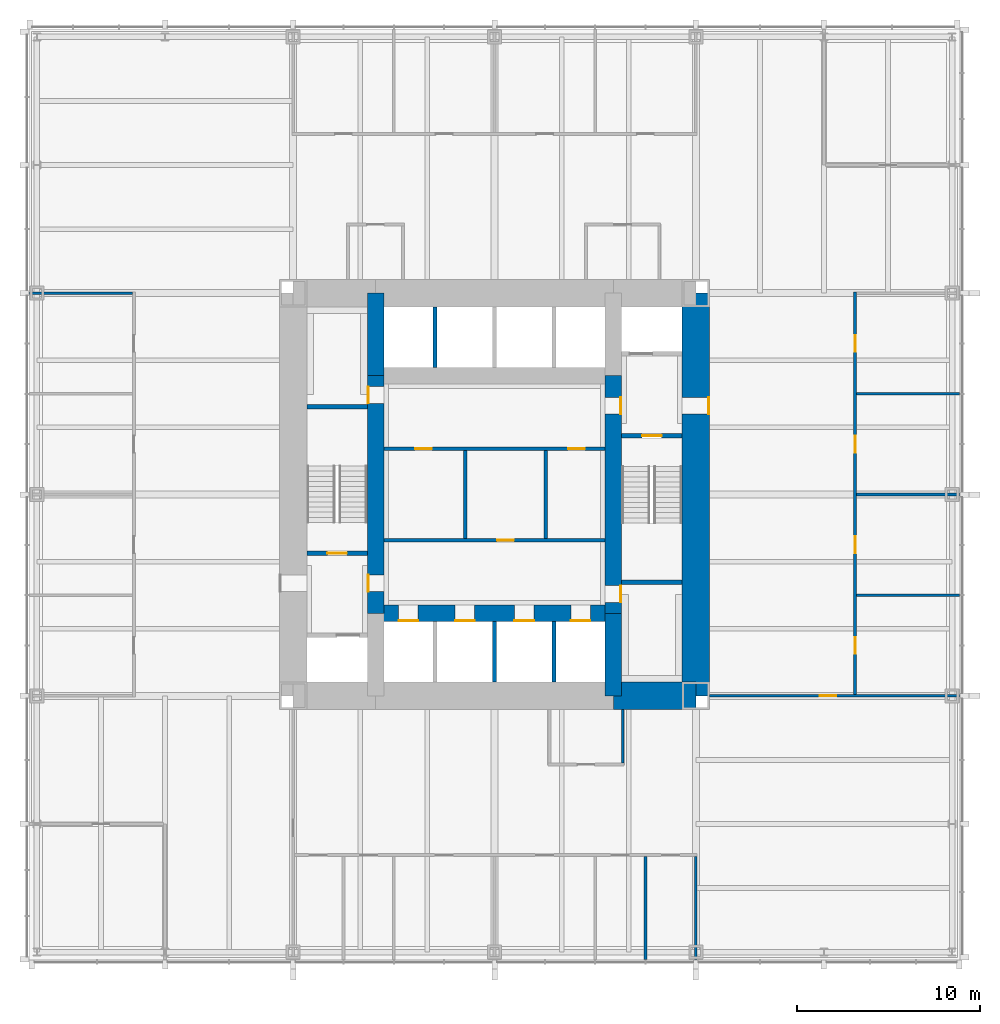
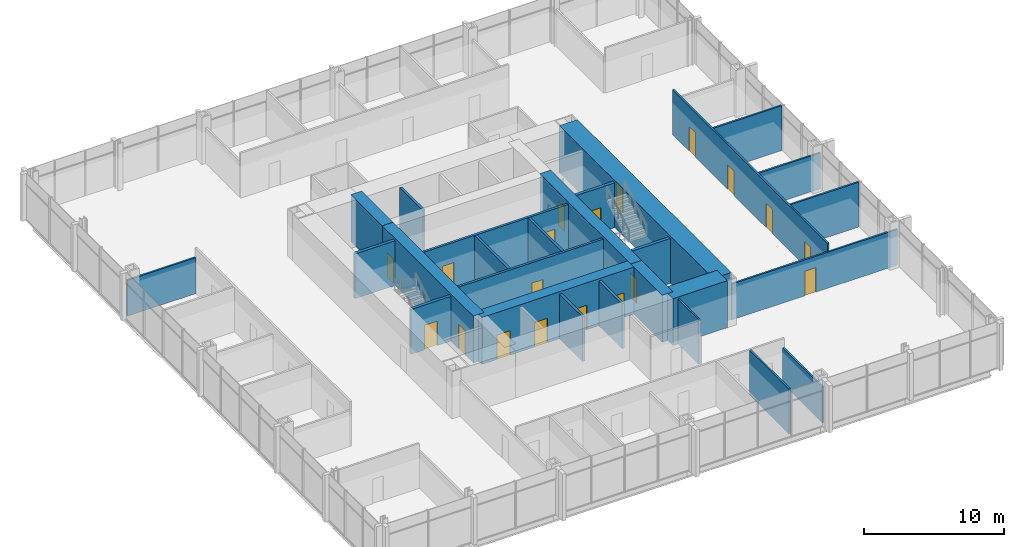
# One storey, part 10 of 12: 27 walls, 19 doors, 19 openings.
"""IFC4 building model written with IfcOpenShell, lengths in metres."""

from ifc_helpers import new_model, si_unit, direction, frame, frame_2d, origin, place, context, subcontext, project, spatial, rectangle, extrude, material, layer, layer_set, type_object, element, fill, save


model = new_model("IFC4")

# Units and contexts
model_context = context("Model", 3, precision=1e-05, world=origin(), true_north=direction((0.0, 1.0)))
body_context = subcontext(model_context, "Body", "Model", "MODEL_VIEW")
ifc_project = project(units=[si_unit("LENGTHUNIT", "METRE"), si_unit("AREAUNIT", "SQUARE_METRE"), si_unit("VOLUMEUNIT", "CUBIC_METRE"), si_unit("PLANEANGLEUNIT", "RADIAN"), si_unit("MASSUNIT", "GRAM", prefix="KILO")], contexts=[model_context])

# Site, building, storey
site_placement = place(None, origin())
site = spatial("IfcSite", under=ifc_project, at=site_placement, CompositionType="ELEMENT")
building_placement = place(site_placement, origin())
building = spatial("IfcBuilding", under=site, at=building_placement, Name="Trevanion Tower", CompositionType="ELEMENT")
storey_placement = place(building_placement, frame((0.0, 0.0, 77.5)))
storey = spatial("IfcBuildingStorey", under=building, at=storey_placement, Name="L18", CompositionType="ELEMENT", Elevation=77.5)

# Wall, opening, door
ifc_material_1 = material(Name="Concrete 10,000 psi", Category="concrete")
ifc_layer_1 = layer(ifc_material_1, 1.5)
ifc_layer_set_1 = layer_set([ifc_layer_1], Name="CW1 core wall 1500")
wall_type_1 = type_object("IfcWallType", Name="CW1 core wall 1500", PredefinedType="SHEAR", material=ifc_layer_set_1)
wall_1_placement = place(storey_placement, frame((11.0, -11.0, 0.0), z_axis=(0.0, 0.0, 1.0), x_axis=(0.0, 1.0, 0.0)))
wall_1 = element("IfcWall", 1, at=wall_1_placement, inside=storey, type_object=wall_type_1, Name="CW1 CE L18", PredefinedType="SHEAR", context=body_context, shape_type="SweptSolid", body=[
    extrude(rectangle(XDim=22.0, YDim=1.5, at=frame_2d((11.0, 0.0))), origin(), (0.0, 0.0, 1.0), 4.10009765625),
])
opening_1_placement = place(wall_1_placement, frame((15.392578125, 0.0, 0.0)))
opening_1 = element("IfcOpeningElement", 2, at=opening_1_placement, cuts=wall_1, Name="Opening 18-001", PredefinedType="OPENING", context=body_context, shape_type="SweptSolid", body=[
    extrude(rectangle(XDim=0.9150390625, YDim=2.134033203125, at=frame_2d((0.45751953125, 1.06689453125))), frame((0.0, 0.760009765625, 0.0), z_axis=(0.0, -1.0, 0.0), x_axis=(1.0, 0.0, 0.0)), (0.0, 0.0, 1.0), 1.52001953125),
])
ifc_material_2 = material(Name="Hollow metal, fire rated", Category="steel")
door_type_1 = type_object("IfcDoorType", Name="D3 fire lift lobby door", OperationType="SINGLE_SWING_RIGHT", PredefinedType="DOOR", material=ifc_material_2)
door_1_placement = place(opening_1_placement, origin())
door_1 = element("IfcDoor", 3, at=door_1_placement, inside=storey, type_object=door_type_1, Name="Door 18-001", OperationType="SINGLE_SWING_RIGHT", OverallHeight=2.134033203125, OverallWidth=0.9150390625, PredefinedType="DOOR", context=body_context, shape_type="SweptSolid", body=[
    extrude(rectangle(XDim=0.9150390625, YDim=2.134033203125, at=frame_2d((0.45751953125, 1.06689453125))), frame((0.0, -0.6748046875, 0.0), z_axis=(0.0, -1.0, 0.0), x_axis=(1.0, 0.0, 0.0)), (0.0, 0.0, 1.0), 0.050048828125),
])
fill(opening_1, door_1)

# Walls
wall_2_placement = place(storey_placement, frame((6.5, -11.0, 0.0), z_axis=(0.0, 0.0, 1.0), x_axis=(1.0, 0.0, 0.0)))
element("IfcWall", 4, at=wall_2_placement, inside=storey, type_object=wall_type_1, Name="CW1 CS3 L18", PredefinedType="SHEAR", context=body_context, shape_type="SweptSolid", body=[
    extrude(rectangle(XDim=4.5, YDim=1.5, at=frame_2d((2.25, 0.0))), origin(), (0.0, 0.0, 1.0), 4.10009765625),
])
ifc_material_3 = material(Name="Concrete 10,000 psi", Category="concrete")
ifc_layer_2 = layer(ifc_material_3, 0.89990234375)
ifc_layer_set_2 = layer_set([ifc_layer_2], Name="CW2 core wall 900")
wall_type_2 = type_object("IfcWallType", Name="CW2 core wall 900", PredefinedType="SHEAR", material=ifc_layer_set_2)
wall_3_placement = place(storey_placement, frame((6.5, -11.0, 0.0), z_axis=(0.0, 0.0, 1.0), x_axis=(0.0, 1.0, 0.0)))
element("IfcWall", 5, at=wall_3_placement, inside=storey, type_object=wall_type_2, Name="CW2 RE1 L18", PredefinedType="SHEAR", context=body_context, shape_type="SweptSolid", body=[
    extrude(rectangle(XDim=4.5, YDim=0.89990234375, at=frame_2d((2.25, 0.0))), origin(), (0.0, 0.0, 1.0), 4.10009765625),
])

# Wall, openings, doors
wall_4_placement = place(storey_placement, frame((6.5, -6.5, 0.0), z_axis=(0.0, 0.0, 1.0), x_axis=(0.0, 1.0, 0.0)))
wall_4 = element("IfcWall", 6, at=wall_4_placement, inside=storey, type_object=wall_type_2, Name="CW2 RE2 L18", PredefinedType="SHEAR", context=body_context, shape_type="SweptSolid", body=[
    extrude(rectangle(XDim=13.0, YDim=0.89990234375, at=frame_2d((6.5, 0.0))), origin(), (0.0, 0.0, 1.0), 4.10009765625),
])
opening_2_placement = place(wall_4_placement, frame((10.892578125, 0.0, 0.0)))
opening_2 = element("IfcOpeningElement", 7, at=opening_2_placement, cuts=wall_4, Name="Opening 18-003", PredefinedType="OPENING", context=body_context, shape_type="SweptSolid", body=[
    extrude(rectangle(XDim=0.9150390625, YDim=2.134033203125, at=frame_2d((0.45751953125, 1.06689453125))), frame((0.0, 0.4599609375, 0.0), z_axis=(0.0, -1.0, 0.0), x_axis=(1.0, 0.0, 0.0)), (0.0, 0.0, 1.0), 0.919921875),
])
opening_3_placement = place(wall_4_placement, frame((0.610107421875, 0.0, 0.0)))
opening_3 = element("IfcOpeningElement", 8, at=opening_3_placement, cuts=wall_4, Name="Opening 18-009", PredefinedType="OPENING", context=body_context, shape_type="SweptSolid", body=[
    extrude(rectangle(XDim=0.9150390625, YDim=2.134033203125, at=frame_2d((0.45751953125, 1.06689453125))), frame((0.0, 0.4599609375, 0.0), z_axis=(0.0, -1.0, 0.0), x_axis=(1.0, 0.0, 0.0)), (0.0, 0.0, 1.0), 0.919921875),
])
door_2_placement = place(opening_2_placement, origin())
door_2 = element("IfcDoor", 9, at=door_2_placement, inside=storey, type_object=door_type_1, Name="Door 18-003", OperationType="SINGLE_SWING_RIGHT", OverallHeight=2.134033203125, OverallWidth=0.9150390625, PredefinedType="DOOR", context=body_context, shape_type="SweptSolid", body=[
    extrude(rectangle(XDim=0.9150390625, YDim=2.134033203125, at=frame_2d((0.45751953125, 1.06689453125))), frame((0.0, -0.375, 0.0), z_axis=(0.0, -1.0, 0.0), x_axis=(1.0, 0.0, 0.0)), (0.0, 0.0, 1.0), 0.050048828125),
])
fill(opening_2, door_2)
ifc_material_4 = material(Name="Hollow metal, fire rated", Category="steel")
door_type_2 = type_object("IfcDoorType", Name="D5 service room door", OperationType="SINGLE_SWING_RIGHT", PredefinedType="DOOR", material=ifc_material_4)
door_3_placement = place(opening_3_placement, origin())
door_3 = element("IfcDoor", 10, at=door_3_placement, inside=storey, type_object=door_type_2, Name="Door 18-009", OperationType="SINGLE_SWING_RIGHT", OverallHeight=2.134033203125, OverallWidth=0.9150390625, PredefinedType="DOOR", context=body_context, shape_type="SweptSolid", body=[
    extrude(rectangle(XDim=0.9150390625, YDim=2.134033203125, at=frame_2d((0.45751953125, 1.06689453125))), frame((0.0, -0.375, 0.0), z_axis=(0.0, -1.0, 0.0), x_axis=(1.0, 0.0, 0.0)), (0.0, 0.0, 1.0), 0.050048828125),
])
fill(opening_3, door_3)

# Wall
wall_5_placement = place(storey_placement, frame((-6.5, 11.0, 0.0), z_axis=(0.0, 0.0, 1.0), x_axis=(0.0, -1.0, 0.0)))
element("IfcWall", 11, at=wall_5_placement, inside=storey, type_object=wall_type_2, Name="CW2 RW1 L18", PredefinedType="SHEAR", context=body_context, shape_type="SweptSolid", body=[
    extrude(rectangle(XDim=4.5, YDim=0.89990234375, at=frame_2d((2.25, 0.0))), origin(), (0.0, 0.0, 1.0), 4.10009765625),
])

# Wall, openings, doors
wall_6_placement = place(storey_placement, frame((-6.5, 6.5, 0.0), z_axis=(0.0, 0.0, 1.0), x_axis=(0.0, -1.0, 0.0)))
wall_6 = element("IfcWall", 12, at=wall_6_placement, inside=storey, type_object=wall_type_2, Name="CW2 RW2 L18", PredefinedType="SHEAR", context=body_context, shape_type="SweptSolid", body=[
    extrude(rectangle(XDim=13.0, YDim=0.89990234375, at=frame_2d((6.5, 0.0))), origin(), (0.0, 0.0, 1.0), 4.10009765625),
])
opening_4_placement = place(wall_6_placement, frame((10.892578125, 0.0, 0.0)))
opening_4 = element("IfcOpeningElement", 13, at=opening_4_placement, cuts=wall_6, Name="Opening 18-004", PredefinedType="OPENING", context=body_context, shape_type="SweptSolid", body=[
    extrude(rectangle(XDim=0.9150390625, YDim=2.134033203125, at=frame_2d((0.45751953125, 1.06689453125))), frame((0.0, 0.4599609375, 0.0), z_axis=(0.0, -1.0, 0.0), x_axis=(1.0, 0.0, 0.0)), (0.0, 0.0, 1.0), 0.919921875),
])
opening_5_placement = place(wall_6_placement, frame((0.610107421875, 0.0, 0.0)))
opening_5 = element("IfcOpeningElement", 14, at=opening_5_placement, cuts=wall_6, Name="Opening 18-010", PredefinedType="OPENING", context=body_context, shape_type="SweptSolid", body=[
    extrude(rectangle(XDim=0.9150390625, YDim=2.134033203125, at=frame_2d((0.45751953125, 1.06689453125))), frame((0.0, 0.4599609375, 0.0), z_axis=(0.0, -1.0, 0.0), x_axis=(1.0, 0.0, 0.0)), (0.0, 0.0, 1.0), 0.919921875),
])
door_4_placement = place(opening_4_placement, origin())
door_4 = element("IfcDoor", 15, at=door_4_placement, inside=storey, type_object=door_type_1, Name="Door 18-004", OperationType="SINGLE_SWING_RIGHT", OverallHeight=2.134033203125, OverallWidth=0.9150390625, PredefinedType="DOOR", context=body_context, shape_type="SweptSolid", body=[
    extrude(rectangle(XDim=0.9150390625, YDim=2.134033203125, at=frame_2d((0.45751953125, 1.06689453125))), frame((0.0, -0.375, 0.0), z_axis=(0.0, -1.0, 0.0), x_axis=(1.0, 0.0, 0.0)), (0.0, 0.0, 1.0), 0.050048828125),
])
fill(opening_4, door_4)
door_5_placement = place(opening_5_placement, origin())
door_5 = element("IfcDoor", 16, at=door_5_placement, inside=storey, type_object=door_type_2, Name="Door 18-010", OperationType="SINGLE_SWING_RIGHT", OverallHeight=2.134033203125, OverallWidth=0.9150390625, PredefinedType="DOOR", context=body_context, shape_type="SweptSolid", body=[
    extrude(rectangle(XDim=0.9150390625, YDim=2.134033203125, at=frame_2d((0.45751953125, 1.06689453125))), frame((0.0, -0.375, 0.0), z_axis=(0.0, -1.0, 0.0), x_axis=(1.0, 0.0, 0.0)), (0.0, 0.0, 1.0), 0.050048828125),
])
fill(opening_5, door_5)

wall_7_placement = place(storey_placement, frame((-6.5, -6.5, 0.0), z_axis=(0.0, 0.0, 1.0), x_axis=(1.0, 0.0, 0.0)))
wall_7 = element("IfcWall", 17, at=wall_7_placement, inside=storey, type_object=wall_type_2, Name="CW2 RS L18", PredefinedType="SHEAR", context=body_context, shape_type="SweptSolid", body=[
    extrude(rectangle(XDim=13.0, YDim=0.89990234375, at=frame_2d((6.5, 0.0))), origin(), (0.0, 0.0, 1.0), 4.10009765625),
])
opening_6_placement = place(wall_7_placement, frame((1.2666015625, 0.0, 0.0)))
opening_6 = element("IfcOpeningElement", 18, at=opening_6_placement, cuts=wall_7, Name="Opening 18-011", PredefinedType="OPENING", context=body_context, shape_type="SweptSolid", body=[
    extrude(rectangle(XDim=1.06689453125, YDim=2.134033203125, at=frame_2d((0.533447265625, 1.06689453125))), frame((0.0, 0.4599609375, 0.0), z_axis=(0.0, -1.0, 0.0), x_axis=(1.0, 0.0, 0.0)), (0.0, 0.0, 1.0), 0.919921875),
])
opening_7_placement = place(wall_7_placement, frame((4.341552734375, 0.0, 0.0)))
opening_7 = element("IfcOpeningElement", 19, at=opening_7_placement, cuts=wall_7, Name="Opening 18-012", PredefinedType="OPENING", context=body_context, shape_type="SweptSolid", body=[
    extrude(rectangle(XDim=1.06689453125, YDim=2.134033203125, at=frame_2d((0.533447265625, 1.06689453125))), frame((0.0, 0.4599609375, 0.0), z_axis=(0.0, -1.0, 0.0), x_axis=(1.0, 0.0, 0.0)), (0.0, 0.0, 1.0), 0.919921875),
])
opening_8_placement = place(wall_7_placement, frame((7.591552734375, 0.0, 0.0)))
opening_8 = element("IfcOpeningElement", 20, at=opening_8_placement, cuts=wall_7, Name="Opening 18-013", PredefinedType="OPENING", context=body_context, shape_type="SweptSolid", body=[
    extrude(rectangle(XDim=1.06689453125, YDim=2.134033203125, at=frame_2d((0.533447265625, 1.06689453125))), frame((0.0, 0.4599609375, 0.0), z_axis=(0.0, -1.0, 0.0), x_axis=(1.0, 0.0, 0.0)), (0.0, 0.0, 1.0), 0.919921875),
])
opening_9_placement = place(wall_7_placement, frame((10.66650390625, 0.0, 0.0)))
opening_9 = element("IfcOpeningElement", 21, at=opening_9_placement, cuts=wall_7, Name="Opening 18-014", PredefinedType="OPENING", context=body_context, shape_type="SweptSolid", body=[
    extrude(rectangle(XDim=1.06689453125, YDim=2.134033203125, at=frame_2d((0.533447265625, 1.06689453125))), frame((0.0, 0.4599609375, 0.0), z_axis=(0.0, -1.0, 0.0), x_axis=(1.0, 0.0, 0.0)), (0.0, 0.0, 1.0), 0.919921875),
])
ifc_material_5 = material(Name="Stainless steel, fire rated", Category="steel")
door_type_3 = type_object("IfcDoorType", Name="LD1 lift landing door", OperationType="SLIDING_TO_LEFT", PredefinedType="DOOR", material=ifc_material_5)
door_6_placement = place(opening_6_placement, origin())
door_6 = element("IfcDoor", 22, at=door_6_placement, inside=storey, type_object=door_type_3, Name="Door 18-011", OperationType="SLIDING_TO_LEFT", OverallHeight=2.134033203125, OverallWidth=1.06689453125, PredefinedType="DOOR", context=body_context, shape_type="SweptSolid", body=[
    extrude(rectangle(XDim=1.06689453125, YDim=2.134033203125, at=frame_2d((0.533447265625, 1.06689453125))), frame((0.0, -0.375, 0.0), z_axis=(0.0, -1.0, 0.0), x_axis=(1.0, 0.0, 0.0)), (0.0, 0.0, 1.0), 0.050048828125),
])
fill(opening_6, door_6)
door_7_placement = place(opening_7_placement, origin())
door_7 = element("IfcDoor", 23, at=door_7_placement, inside=storey, type_object=door_type_3, Name="Door 18-012", OperationType="SLIDING_TO_LEFT", OverallHeight=2.134033203125, OverallWidth=1.06689453125, PredefinedType="DOOR", context=body_context, shape_type="SweptSolid", body=[
    extrude(rectangle(XDim=1.06689453125, YDim=2.134033203125, at=frame_2d((0.533447265625, 1.06689453125))), frame((0.0, -0.375, 0.0), z_axis=(0.0, -1.0, 0.0), x_axis=(1.0, 0.0, 0.0)), (0.0, 0.0, 1.0), 0.050048828125),
])
fill(opening_7, door_7)
door_8_placement = place(opening_8_placement, origin())
door_8 = element("IfcDoor", 24, at=door_8_placement, inside=storey, type_object=door_type_3, Name="Door 18-013", OperationType="SLIDING_TO_LEFT", OverallHeight=2.134033203125, OverallWidth=1.06689453125, PredefinedType="DOOR", context=body_context, shape_type="SweptSolid", body=[
    extrude(rectangle(XDim=1.06689453125, YDim=2.134033203125, at=frame_2d((0.533447265625, 1.06689453125))), frame((0.0, -0.375, 0.0), z_axis=(0.0, -1.0, 0.0), x_axis=(1.0, 0.0, 0.0)), (0.0, 0.0, 1.0), 0.050048828125),
])
fill(opening_8, door_8)
door_9_placement = place(opening_9_placement, origin())
door_9 = element("IfcDoor", 25, at=door_9_placement, inside=storey, type_object=door_type_3, Name="Door 18-014", OperationType="SLIDING_TO_LEFT", OverallHeight=2.134033203125, OverallWidth=1.06689453125, PredefinedType="DOOR", context=body_context, shape_type="SweptSolid", body=[
    extrude(rectangle(XDim=1.06689453125, YDim=2.134033203125, at=frame_2d((0.533447265625, 1.06689453125))), frame((0.0, -0.375, 0.0), z_axis=(0.0, -1.0, 0.0), x_axis=(1.0, 0.0, 0.0)), (0.0, 0.0, 1.0), 0.050048828125),
])
fill(opening_9, door_9)

# Wall, opening, door
ifc_material_6 = material(Name="Gypsum board on steel studs", Category="steel")
ifc_layer_3 = layer(ifc_material_6, 0.14990234375)
ifc_layer_set_3 = layer_set([ifc_layer_3], Name="PT1 partition 150")
wall_type_3 = type_object("IfcWallType", Name="PT1 partition 150", PredefinedType="PARTITIONING", material=ifc_layer_set_3)
wall_8_placement = place(storey_placement, frame((11.75, -11.0, 0.0), z_axis=(0.0, 0.0, 1.0), x_axis=(1.0, 0.0, 0.0)))
wall_8 = element("IfcWall", 26, at=wall_8_placement, inside=storey, type_object=wall_type_3, Name="PT1 L18 ZW3", PredefinedType="PARTITIONING", context=body_context, shape_type="SweptSolid", body=[
    extrude(rectangle(XDim=13.6650390625, YDim=0.14990234375, at=frame_2d((6.83251953125, 0.0))), origin(), (0.0, 0.0, 1.0), 3.130126953125),
])
opening_10_placement = place(wall_8_placement, frame((6.017578125, 0.0, 0.0)))
opening_10 = element("IfcOpeningElement", 27, at=opening_10_placement, cuts=wall_8, Name="Opening 18-019", PredefinedType="OPENING", context=body_context, shape_type="SweptSolid", body=[
    extrude(rectangle(XDim=0.9150390625, YDim=2.134033203125, at=frame_2d((0.45751953125, 1.06689453125))), frame((0.0, 0.0849609375, 0.0), z_axis=(0.0, -1.0, 0.0), x_axis=(1.0, 0.0, 0.0)), (0.0, 0.0, 1.0), 0.169921875),
])
ifc_material_7 = material(Name="Timber veneer, solid core", Category="wood")
door_type_4 = type_object("IfcDoorType", Name="D1 office and meeting room door", OperationType="SINGLE_SWING_LEFT", PredefinedType="DOOR", material=ifc_material_7)
door_10_placement = place(opening_10_placement, origin())
door_10 = element("IfcDoor", 28, at=door_10_placement, inside=storey, type_object=door_type_4, Name="Door 18-019", OperationType="SINGLE_SWING_LEFT", OverallHeight=2.134033203125, OverallWidth=0.9150390625, PredefinedType="DOOR", context=body_context, shape_type="SweptSolid", body=[
    extrude(rectangle(XDim=0.9150390625, YDim=2.134033203125, at=frame_2d((0.45751953125, 1.06689453125))), frame((0.0, 0.02490234375, 0.0), z_axis=(0.0, -1.0, 0.0), x_axis=(1.0, 0.0, 0.0)), (0.0, 0.0, 1.0), 0.050048828125),
])
fill(opening_10, door_10)

# Walls
wall_9_placement = place(storey_placement, frame((8.25, -19.77490234375, 0.0), z_axis=(0.0, 0.0, 1.0), x_axis=(0.0, -1.0, 0.0)))
element("IfcWall", 29, at=wall_9_placement, inside=storey, type_object=wall_type_3, Name="PT1 L18 FC3S7", PredefinedType="PARTITIONING", context=body_context, shape_type="SweptSolid", body=[
    extrude(rectangle(XDim=5.64013671875, YDim=0.14990234375, at=frame_2d((2.820068359375, 0.0))), origin(), (0.0, 0.0, 1.0), 3.909912109375),
])
wall_10_placement = place(storey_placement, frame((11.0, -19.77490234375, 0.0), z_axis=(0.0, 0.0, 1.0), x_axis=(0.0, -1.0, 0.0)))
element("IfcWall", 30, at=wall_10_placement, inside=storey, type_object=wall_type_3, Name="PT1 L18 FC3S8", PredefinedType="PARTITIONING", context=body_context, shape_type="SweptSolid", body=[
    extrude(rectangle(XDim=5.64013671875, YDim=0.14990234375, at=frame_2d((2.820068359375, 0.0))), origin(), (0.0, 0.0, 1.0), 3.130126953125),
])

# Wall, openings, doors
wall_11_placement = place(storey_placement, frame((19.699951171875, -11.074951171875, 0.0), z_axis=(0.0, 0.0, 1.0), x_axis=(0.0, 1.0, 0.0)))
wall_11 = element("IfcWall", 31, at=wall_11_placement, inside=storey, type_object=wall_type_3, Name="PT1 L18 FC0F", PredefinedType="PARTITIONING", context=body_context, shape_type="SweptSolid", body=[
    extrude(rectangle(XDim=22.14990234375, YDim=0.14990234375, at=frame_2d((11.074951171875, 0.0))), origin(), (0.0, 0.0, 1.0), 3.909912109375),
])
opening_11_placement = place(wall_11_placement, frame((2.367431640625, 0.0, 0.0)))
opening_11 = element("IfcOpeningElement", 32, at=opening_11_placement, cuts=wall_11, Name="Opening 18-032", PredefinedType="OPENING", context=body_context, shape_type="SweptSolid", body=[
    extrude(rectangle(XDim=0.9150390625, YDim=2.134033203125, at=frame_2d((0.45751953125, 1.06689453125))), frame((0.0, 0.0849609375, 0.0), z_axis=(0.0, -1.0, 0.0), x_axis=(1.0, 0.0, 0.0)), (0.0, 0.0, 1.0), 0.169921875),
])
opening_12_placement = place(wall_11_placement, frame((7.867431640625, 0.0, 0.0)))
opening_12 = element("IfcOpeningElement", 33, at=opening_12_placement, cuts=wall_11, Name="Opening 18-033", PredefinedType="OPENING", context=body_context, shape_type="SweptSolid", body=[
    extrude(rectangle(XDim=0.9150390625, YDim=2.134033203125, at=frame_2d((0.45751953125, 1.06689453125))), frame((0.0, 0.0849609375, 0.0), z_axis=(0.0, -1.0, 0.0), x_axis=(1.0, 0.0, 0.0)), (0.0, 0.0, 1.0), 0.169921875),
])
opening_13_placement = place(wall_11_placement, frame((13.367431640625, 0.0, 0.0)))
opening_13 = element("IfcOpeningElement", 34, at=opening_13_placement, cuts=wall_11, Name="Opening 18-034", PredefinedType="OPENING", context=body_context, shape_type="SweptSolid", body=[
    extrude(rectangle(XDim=0.9150390625, YDim=2.134033203125, at=frame_2d((0.45751953125, 1.06689453125))), frame((0.0, 0.0849609375, 0.0), z_axis=(0.0, -1.0, 0.0), x_axis=(1.0, 0.0, 0.0)), (0.0, 0.0, 1.0), 0.169921875),
])
opening_14_placement = place(wall_11_placement, frame((18.867431640625, 0.0, 0.0)))
opening_14 = element("IfcOpeningElement", 35, at=opening_14_placement, cuts=wall_11, Name="Opening 18-035", PredefinedType="OPENING", context=body_context, shape_type="SweptSolid", body=[
    extrude(rectangle(XDim=0.9150390625, YDim=2.134033203125, at=frame_2d((0.45751953125, 1.06689453125))), frame((0.0, 0.0849609375, 0.0), z_axis=(0.0, -1.0, 0.0), x_axis=(1.0, 0.0, 0.0)), (0.0, 0.0, 1.0), 0.169921875),
])
door_11_placement = place(opening_11_placement, origin())
door_11 = element("IfcDoor", 36, at=door_11_placement, inside=storey, type_object=door_type_4, Name="Door 18-032", OperationType="SINGLE_SWING_LEFT", OverallHeight=2.134033203125, OverallWidth=0.9150390625, PredefinedType="DOOR", context=body_context, shape_type="SweptSolid", body=[
    extrude(rectangle(XDim=0.9150390625, YDim=2.134033203125, at=frame_2d((0.45751953125, 1.06689453125))), frame((0.0, 0.02490234375, 0.0), z_axis=(0.0, -1.0, 0.0), x_axis=(1.0, 0.0, 0.0)), (0.0, 0.0, 1.0), 0.050048828125),
])
fill(opening_11, door_11)
door_12_placement = place(opening_12_placement, origin())
door_12 = element("IfcDoor", 37, at=door_12_placement, inside=storey, type_object=door_type_4, Name="Door 18-033", OperationType="SINGLE_SWING_LEFT", OverallHeight=2.134033203125, OverallWidth=0.9150390625, PredefinedType="DOOR", context=body_context, shape_type="SweptSolid", body=[
    extrude(rectangle(XDim=0.9150390625, YDim=2.134033203125, at=frame_2d((0.45751953125, 1.06689453125))), frame((0.0, 0.02490234375, 0.0), z_axis=(0.0, -1.0, 0.0), x_axis=(1.0, 0.0, 0.0)), (0.0, 0.0, 1.0), 0.050048828125),
])
fill(opening_12, door_12)
door_13_placement = place(opening_13_placement, origin())
door_13 = element("IfcDoor", 38, at=door_13_placement, inside=storey, type_object=door_type_4, Name="Door 18-034", OperationType="SINGLE_SWING_LEFT", OverallHeight=2.134033203125, OverallWidth=0.9150390625, PredefinedType="DOOR", context=body_context, shape_type="SweptSolid", body=[
    extrude(rectangle(XDim=0.9150390625, YDim=2.134033203125, at=frame_2d((0.45751953125, 1.06689453125))), frame((0.0, 0.02490234375, 0.0), z_axis=(0.0, -1.0, 0.0), x_axis=(1.0, 0.0, 0.0)), (0.0, 0.0, 1.0), 0.050048828125),
])
fill(opening_13, door_13)
door_14_placement = place(opening_14_placement, origin())
door_14 = element("IfcDoor", 39, at=door_14_placement, inside=storey, type_object=door_type_4, Name="Door 18-035", OperationType="SINGLE_SWING_LEFT", OverallHeight=2.134033203125, OverallWidth=0.9150390625, PredefinedType="DOOR", context=body_context, shape_type="SweptSolid", body=[
    extrude(rectangle(XDim=0.9150390625, YDim=2.134033203125, at=frame_2d((0.45751953125, 1.06689453125))), frame((0.0, 0.02490234375, 0.0), z_axis=(0.0, -1.0, 0.0), x_axis=(1.0, 0.0, 0.0)), (0.0, 0.0, 1.0), 0.050048828125),
])
fill(opening_14, door_14)

# Walls
wall_12_placement = place(storey_placement, frame((19.77490234375, -5.5, 0.0), z_axis=(0.0, 0.0, 1.0), x_axis=(1.0, 0.0, 0.0)))
element("IfcWall", 40, at=wall_12_placement, inside=storey, type_object=wall_type_3, Name="PT1 L18 FC0S2", PredefinedType="PARTITIONING", context=body_context, shape_type="SweptSolid", body=[
    extrude(rectangle(XDim=5.64013671875, YDim=0.14990234375, at=frame_2d((2.820068359375, 0.0))), origin(), (0.0, 0.0, 1.0), 3.909912109375),
])
wall_13_placement = place(storey_placement, frame((19.77490234375, 0.0, 0.0), z_axis=(0.0, 0.0, 1.0), x_axis=(1.0, 0.0, 0.0)))
element("IfcWall", 41, at=wall_13_placement, inside=storey, type_object=wall_type_3, Name="PT1 L18 FC0S4", PredefinedType="PARTITIONING", context=body_context, shape_type="SweptSolid", body=[
    extrude(rectangle(XDim=5.64013671875, YDim=0.14990234375, at=frame_2d((2.820068359375, 0.0))), origin(), (0.0, 0.0, 1.0), 3.130126953125),
])
wall_14_placement = place(storey_placement, frame((19.77490234375, 5.5, 0.0), z_axis=(0.0, 0.0, 1.0), x_axis=(1.0, 0.0, 0.0)))
element("IfcWall", 42, at=wall_14_placement, inside=storey, type_object=wall_type_3, Name="PT1 L18 FC0S6", PredefinedType="PARTITIONING", context=body_context, shape_type="SweptSolid", body=[
    extrude(rectangle(XDim=5.64013671875, YDim=0.14990234375, at=frame_2d((2.820068359375, 0.0))), origin(), (0.0, 0.0, 1.0), 3.909912109375),
])
wall_15_placement = place(storey_placement, frame((-19.77490234375, 11.0, 0.0), z_axis=(0.0, 0.0, 1.0), x_axis=(-1.0, 0.0, 0.0)))
element("IfcWall", 43, at=wall_15_placement, inside=storey, type_object=wall_type_3, Name="PT1 L18 FC2S0", PredefinedType="PARTITIONING", context=body_context, shape_type="SweptSolid", body=[
    extrude(rectangle(XDim=5.64013671875, YDim=0.14990234375, at=frame_2d((2.820068359375, 0.0))), origin(), (0.0, 0.0, 1.0), 3.130126953125),
])
wall_16_placement = place(storey_placement, frame((7.0, -14.675048828125, 0.0), z_axis=(0.0, 0.0, 1.0), x_axis=(0.0, 1.0, 0.0)))
element("IfcWall", 44, at=wall_16_placement, inside=storey, type_object=wall_type_3, Name="PT1 L18 IN30S1", PredefinedType="PARTITIONING", context=body_context, shape_type="SweptSolid", body=[
    extrude(rectangle(XDim=2.925048828125, YDim=0.14990234375, at=frame_2d((1.46240234375, 0.0))), origin(), (0.0, 0.0, 1.0), 3.909912109375),
])
ifc_material_8 = material(Name="Concrete masonry, grouted", Category="masonry")
ifc_layer_4 = layer(ifc_material_8, 0.199951171875)
ifc_layer_set_4 = layer_set([ifc_layer_4], Name="PT2 partition 200")
wall_type_4 = type_object("IfcWallType", Name="PT2 partition 200", PredefinedType="PARTITIONING", material=ifc_layer_set_4)
for number, where, z_axis, x_axis, name in (
    (45, (-1.60009765625, -2.39990234375, 0.0), (0.0, 0.0, 1.0), (0.0, 1.0, 0.0), "PT2 L18 TP1"),
    (46, (2.800048828125, -2.39990234375, 0.0), (0.0, 0.0, 1.0), (0.0, 1.0, 0.0), "PT2 L18 TP2"),
):
    element("IfcWall", number, at=place(storey_placement, frame(where, z_axis=z_axis, x_axis=x_axis)), inside=storey, type_object=wall_type_4, Name=name, PredefinedType="PARTITIONING", context=body_context, shape_type="SweptSolid", body=[
        extrude(rectangle(XDim=4.7998046875, YDim=0.199951171875, at=frame_2d((2.39990234375, 0.0))), origin(), (0.0, 0.0, 1.0), 3.909912109375),
    ])

# Wall, openings, doors
ifc_material_9 = material(Name="Concrete masonry, grouted", Category="masonry")
ifc_layer_5 = layer(ifc_material_9, 0.199951171875)
ifc_layer_set_5 = layer_set([ifc_layer_5], Name="PT2 partition 200 1 HR")
wall_type_5 = type_object("IfcWallType", Name="PT2 partition 200 1 HR", PredefinedType="PARTITIONING", material=ifc_layer_set_5)
wall_17_placement = place(storey_placement, frame((-6.050048828125, 2.5, 0.0), z_axis=(0.0, 0.0, 1.0), x_axis=(1.0, 0.0, 0.0)))
wall_17 = element("IfcWall", 47, at=wall_17_placement, inside=storey, type_object=wall_type_5, Name="PT2 L18 CP1", PredefinedType="PARTITIONING", context=body_context, shape_type="SweptSolid", body=[
    extrude(rectangle(XDim=12.10009765625, YDim=0.199951171875, at=frame_2d((6.050048828125, 0.0))), origin(), (0.0, 0.0, 1.0), 3.909912109375),
])
opening_15_placement = place(wall_17_placement, frame((1.717529296875, 0.0, 0.0)))
opening_15 = element("IfcOpeningElement", 48, at=opening_15_placement, cuts=wall_17, Name="Opening 18-015", PredefinedType="OPENING", context=body_context, shape_type="SweptSolid", body=[
    extrude(rectangle(XDim=0.9150390625, YDim=2.134033203125, at=frame_2d((0.45751953125, 1.06689453125))), frame((0.0, 0.10986328125, 0.0), z_axis=(0.0, -1.0, 0.0), x_axis=(1.0, 0.0, 0.0)), (0.0, 0.0, 1.0), 0.219970703125),
])
opening_16_placement = place(wall_17_placement, frame((10.0673828125, 0.0, 0.0)))
opening_16 = element("IfcOpeningElement", 49, at=opening_16_placement, cuts=wall_17, Name="Opening 18-017", PredefinedType="OPENING", context=body_context, shape_type="SweptSolid", body=[
    extrude(rectangle(XDim=0.9150390625, YDim=2.134033203125, at=frame_2d((0.45751953125, 1.06689453125))), frame((0.0, 0.10986328125, 0.0), z_axis=(0.0, -1.0, 0.0), x_axis=(1.0, 0.0, 0.0)), (0.0, 0.0, 1.0), 0.219970703125),
])
ifc_material_10 = material(Name="Plastic laminate on fire-rated core", Category="wood")
door_type_5 = type_object("IfcDoorType", Name="D12 toilet door in a one hour wall", OperationType="SINGLE_SWING_LEFT", PredefinedType="DOOR", material=ifc_material_10)
door_15_placement = place(opening_15_placement, origin())
door_15 = element("IfcDoor", 50, at=door_15_placement, inside=storey, type_object=door_type_5, Name="Door 18-015", OperationType="SINGLE_SWING_LEFT", OverallHeight=2.134033203125, OverallWidth=0.9150390625, PredefinedType="DOOR", context=body_context, shape_type="SweptSolid", body=[
    extrude(rectangle(XDim=0.9150390625, YDim=2.134033203125, at=frame_2d((0.45751953125, 1.06689453125))), frame((0.0, 0.02490234375, 0.0), z_axis=(0.0, -1.0, 0.0), x_axis=(1.0, 0.0, 0.0)), (0.0, 0.0, 1.0), 0.050048828125),
])
fill(opening_15, door_15)
door_16_placement = place(opening_16_placement, origin())
door_16 = element("IfcDoor", 51, at=door_16_placement, inside=storey, type_object=door_type_5, Name="Door 18-017", OperationType="SINGLE_SWING_LEFT", OverallHeight=2.134033203125, OverallWidth=0.9150390625, PredefinedType="DOOR", context=body_context, shape_type="SweptSolid", body=[
    extrude(rectangle(XDim=0.9150390625, YDim=2.134033203125, at=frame_2d((0.45751953125, 1.06689453125))), frame((0.0, 0.02490234375, 0.0), z_axis=(0.0, -1.0, 0.0), x_axis=(1.0, 0.0, 0.0)), (0.0, 0.0, 1.0), 0.050048828125),
])
fill(opening_16, door_16)

# Wall, opening, door
wall_18_placement = place(storey_placement, frame((6.050048828125, -2.5, 0.0), z_axis=(0.0, 0.0, 1.0), x_axis=(-1.0, 0.0, 0.0)))
wall_18 = element("IfcWall", 52, at=wall_18_placement, inside=storey, type_object=wall_type_5, Name="PT2 L18 CP2", PredefinedType="PARTITIONING", context=body_context, shape_type="SweptSolid", body=[
    extrude(rectangle(XDim=12.10009765625, YDim=0.199951171875, at=frame_2d((6.050048828125, 0.0))), origin(), (0.0, 0.0, 1.0), 3.909912109375),
])
opening_17_placement = place(wall_18_placement, frame((4.992431640625, 0.0, 0.0)))
opening_17 = element("IfcOpeningElement", 53, at=opening_17_placement, cuts=wall_18, Name="Opening 18-016", PredefinedType="OPENING", context=body_context, shape_type="SweptSolid", body=[
    extrude(rectangle(XDim=0.9150390625, YDim=2.134033203125, at=frame_2d((0.45751953125, 1.06689453125))), frame((0.0, 0.10986328125, 0.0), z_axis=(0.0, -1.0, 0.0), x_axis=(1.0, 0.0, 0.0)), (0.0, 0.0, 1.0), 0.219970703125),
])
door_17_placement = place(opening_17_placement, origin())
door_17 = element("IfcDoor", 54, at=door_17_placement, inside=storey, type_object=door_type_5, Name="Door 18-016", OperationType="SINGLE_SWING_LEFT", OverallHeight=2.134033203125, OverallWidth=0.9150390625, PredefinedType="DOOR", context=body_context, shape_type="SweptSolid", body=[
    extrude(rectangle(XDim=0.9150390625, YDim=2.134033203125, at=frame_2d((0.45751953125, 1.06689453125))), frame((0.0, 0.02490234375, 0.0), z_axis=(0.0, -1.0, 0.0), x_axis=(1.0, 0.0, 0.0)), (0.0, 0.0, 1.0), 0.050048828125),
])
fill(opening_17, door_17)

# Walls
ifc_material_11 = material(Name="Concrete masonry, grouted", Category="masonry")
ifc_layer_6 = layer(ifc_material_11, 0.199951171875)
ifc_layer_set_6 = layer_set([ifc_layer_6], Name="PT2 partition 200 2 HR")
wall_type_6 = type_object("IfcWallType", Name="PT2 partition 200 2 HR", PredefinedType="PARTITIONING", material=ifc_layer_set_6)
for number, where, z_axis, x_axis, name in (
    (55, (-3.25, 6.949951171875, 0.0), (0.0, 0.0, 1.0), (0.0, 1.0, 0.0), "PT2 L18 NS0"),
    (56, (0.0, -10.25, 0.0), (0.0, 0.0, 1.0), (0.0, 1.0, 0.0), "PT2 L18 SS1"),
    (57, (3.25, -10.25, 0.0), (0.0, 0.0, 1.0), (0.0, 1.0, 0.0), "PT2 L18 SS2"),
):
    element("IfcWall", number, at=place(storey_placement, frame(where, z_axis=z_axis, x_axis=x_axis)), inside=storey, type_object=wall_type_6, Name=name, PredefinedType="PARTITIONING", context=body_context, shape_type="SweptSolid", body=[
        extrude(rectangle(XDim=3.300048828125, YDim=0.199951171875, at=frame_2d((1.64990234375, 0.0))), origin(), (0.0, 0.0, 1.0), 3.909912109375),
    ])
ifc_material_12 = material(Name="Reinforced masonry, fully grouted", Category="masonry")
ifc_layer_7 = layer(ifc_material_12, 0.25)
ifc_layer_set_7 = layer_set([ifc_layer_7], Name="SW1 stair shaft wall 250")
wall_type_7 = type_object("IfcWallType", Name="SW1 stair shaft wall 250", PredefinedType="SOLIDWALL", material=ifc_layer_set_7)
for number, where, z_axis, x_axis, name in (
    (58, (6.949951171875, -4.800048828125, 0.0), (0.0, 0.0, 1.0), (1.0, 0.0, 0.0), "SW1 L18 EP1"),
    (59, (-6.949951171875, 4.800048828125, 0.0), (0.0, 0.0, 1.0), (-1.0, 0.0, 0.0), "SW1 L18 WP1"),
):
    element("IfcWall", number, at=place(storey_placement, frame(where, z_axis=z_axis, x_axis=x_axis)), inside=storey, type_object=wall_type_7, Name=name, PredefinedType="SOLIDWALL", context=body_context, shape_type="SweptSolid", body=[
        extrude(rectangle(XDim=3.300048828125, YDim=0.25, at=frame_2d((1.64990234375, 0.0))), origin(), (0.0, 0.0, 1.0), 3.909912109375),
    ])

# Wall, opening, door
wall_19_placement = place(storey_placement, frame((6.949951171875, 3.199951171875, 0.0), z_axis=(0.0, 0.0, 1.0), x_axis=(1.0, 0.0, 0.0)))
wall_19 = element("IfcWall", 60, at=wall_19_placement, inside=storey, type_object=wall_type_7, Name="SW1 L18 EP2", PredefinedType="SOLIDWALL", context=body_context, shape_type="SweptSolid", body=[
    extrude(rectangle(XDim=3.300048828125, YDim=0.25, at=frame_2d((1.64990234375, 0.0))), origin(), (0.0, 0.0, 1.0), 3.909912109375),
])
opening_18_placement = place(wall_19_placement, frame((1.116455078125, 0.0, 0.0)))
opening_18 = element("IfcOpeningElement", 61, at=opening_18_placement, cuts=wall_19, Name="Opening 18-005", PredefinedType="OPENING", context=body_context, shape_type="SweptSolid", body=[
    extrude(rectangle(XDim=1.06689453125, YDim=2.134033203125, at=frame_2d((0.533447265625, 1.06689453125))), frame((0.0, 0.135009765625, 0.0), z_axis=(0.0, -1.0, 0.0), x_axis=(1.0, 0.0, 0.0)), (0.0, 0.0, 1.0), 0.27001953125),
])
ifc_material_13 = material(Name="Hollow metal, fire rated", Category="steel")
door_type_6 = type_object("IfcDoorType", Name="D2 exit stair door", OperationType="SINGLE_SWING_LEFT", PredefinedType="DOOR", material=ifc_material_13)
door_18_placement = place(opening_18_placement, origin())
door_18 = element("IfcDoor", 62, at=door_18_placement, inside=storey, type_object=door_type_6, Name="Door 18-005", OperationType="SINGLE_SWING_LEFT", OverallHeight=2.134033203125, OverallWidth=1.06689453125, PredefinedType="DOOR", context=body_context, shape_type="SweptSolid", body=[
    extrude(rectangle(XDim=1.06689453125, YDim=2.134033203125, at=frame_2d((0.533447265625, 1.06689453125))), frame((0.0, 0.02490234375, 0.0), z_axis=(0.0, -1.0, 0.0), x_axis=(1.0, 0.0, 0.0)), (0.0, 0.0, 1.0), 0.050048828125),
])
fill(opening_18, door_18)

wall_20_placement = place(storey_placement, frame((-6.949951171875, -3.199951171875, 0.0), z_axis=(0.0, 0.0, 1.0), x_axis=(-1.0, 0.0, 0.0)))
wall_20 = element("IfcWall", 63, at=wall_20_placement, inside=storey, type_object=wall_type_7, Name="SW1 L18 WP2", PredefinedType="SOLIDWALL", context=body_context, shape_type="SweptSolid", body=[
    extrude(rectangle(XDim=3.300048828125, YDim=0.25, at=frame_2d((1.64990234375, 0.0))), origin(), (0.0, 0.0, 1.0), 3.909912109375),
])
opening_19_placement = place(wall_20_placement, frame((1.116455078125, 0.0, 0.0)))
opening_19 = element("IfcOpeningElement", 64, at=opening_19_placement, cuts=wall_20, Name="Opening 18-006", PredefinedType="OPENING", context=body_context, shape_type="SweptSolid", body=[
    extrude(rectangle(XDim=1.06689453125, YDim=2.134033203125, at=frame_2d((0.533447265625, 1.06689453125))), frame((0.0, 0.135009765625, 0.0), z_axis=(0.0, -1.0, 0.0), x_axis=(1.0, 0.0, 0.0)), (0.0, 0.0, 1.0), 0.27001953125),
])
door_19_placement = place(opening_19_placement, origin())
door_19 = element("IfcDoor", 65, at=door_19_placement, inside=storey, type_object=door_type_6, Name="Door 18-006", OperationType="SINGLE_SWING_LEFT", OverallHeight=2.134033203125, OverallWidth=1.06689453125, PredefinedType="DOOR", context=body_context, shape_type="SweptSolid", body=[
    extrude(rectangle(XDim=1.06689453125, YDim=2.134033203125, at=frame_2d((0.533447265625, 1.06689453125))), frame((0.0, 0.02490234375, 0.0), z_axis=(0.0, -1.0, 0.0), x_axis=(1.0, 0.0, 0.0)), (0.0, 0.0, 1.0), 0.050048828125),
])
fill(opening_19, door_19)

save(model, "model.ifc")
